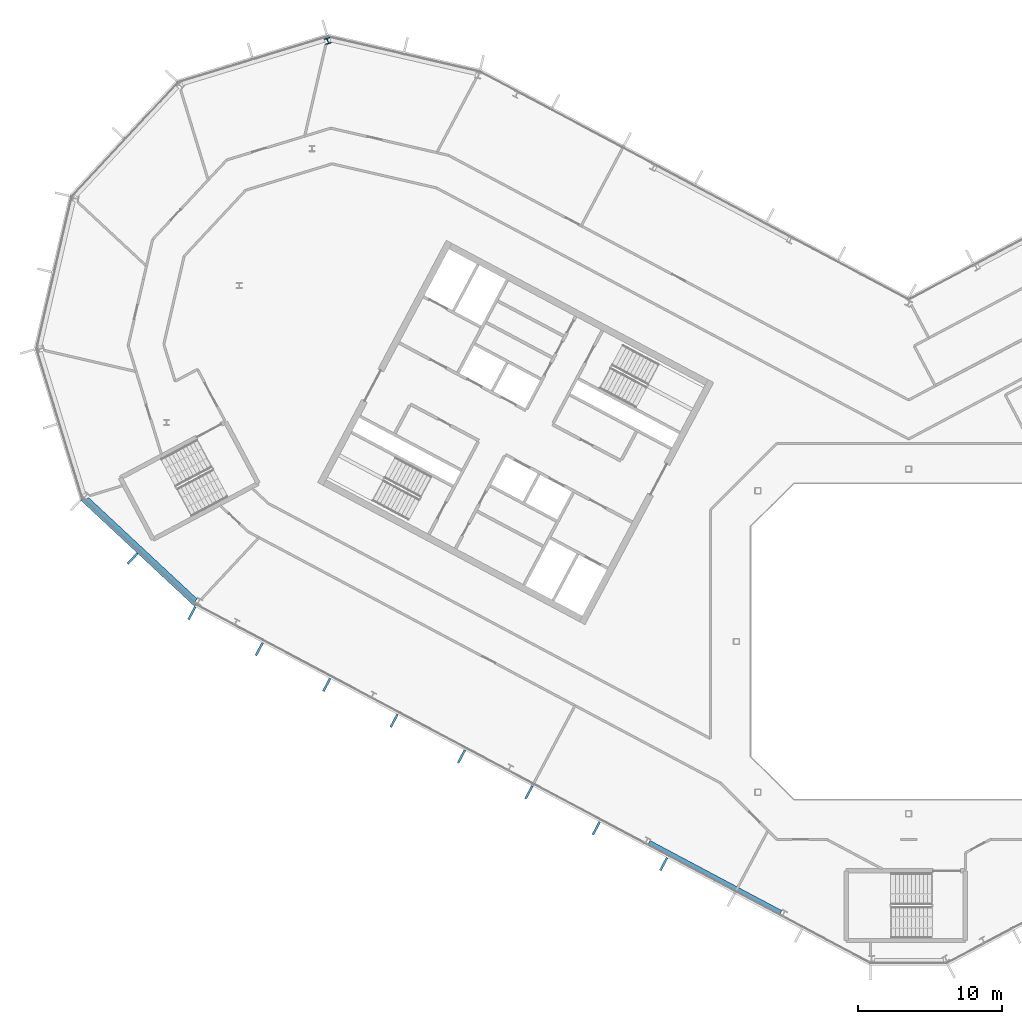
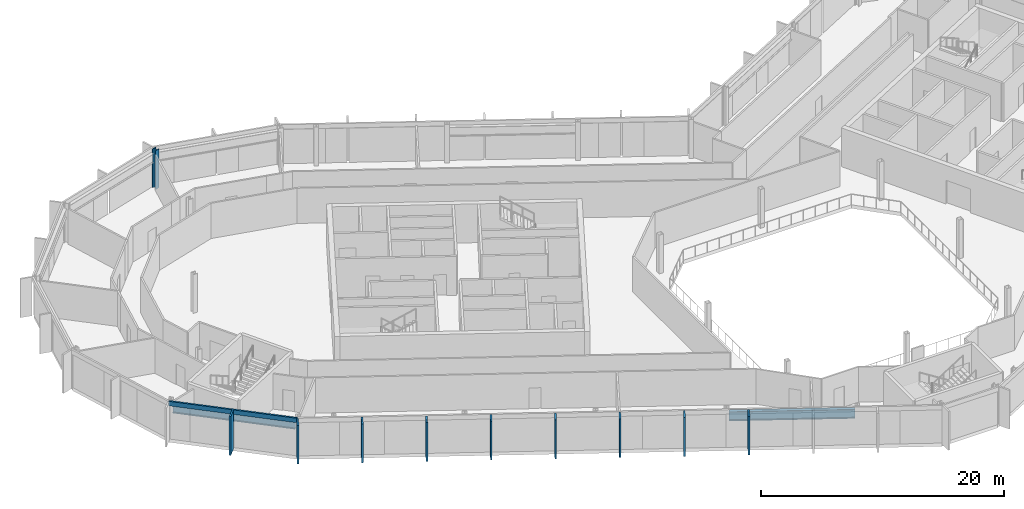
# One storey, part 8 of 26: 10 members, 2 beams, 1 column, 2 elements without a shape of their own.
"""IFC4 building model written with IfcOpenShell, lengths in metres."""

from ifc_helpers import new_model, si_unit, direction, frame, origin, origin_2d, place, context, subcontext, project, spatial, rectangle, i_section, extrude, material, layer, layer_set, material_profile, profile_set, type_object, element, aggregate, save


model = new_model("IFC4")

# Units and contexts
model_context = context("Model", 3, precision=1e-05, world=origin(), true_north=direction((0.0, 1.0)))
body_context = subcontext(model_context, "Body", "Model", "MODEL_VIEW")
ifc_project = project(units=[si_unit("LENGTHUNIT", "METRE"), si_unit("AREAUNIT", "SQUARE_METRE"), si_unit("VOLUMEUNIT", "CUBIC_METRE"), si_unit("PLANEANGLEUNIT", "RADIAN"), si_unit("MASSUNIT", "GRAM", prefix="KILO")], contexts=[model_context])

# Site, building, storey
site_placement = place(None, origin())
site = spatial("IfcSite", under=ifc_project, at=site_placement, CompositionType="ELEMENT")
building_placement = place(site_placement, origin())
building = spatial("IfcBuilding", under=site, at=building_placement, Name="Cormorant Relay Tower", CompositionType="ELEMENT")
storey_placement = place(building_placement, frame((0.0, 0.0, 285.300048828125)))
storey = spatial("IfcBuildingStorey", under=building, at=storey_placement, Name="L64", CompositionType="ELEMENT", Elevation=285.300048828125)

# Column
ifc_material_1 = material(Name="Steel ASTM A992 (Fy 345 MPa)", Category="steel")
ifc_material_profile_1 = material_profile(ifc_material_1, i_section(OverallWidth=0.40380859375, OverallDepth=0.406494140625, WebThickness=0.027099609375, FlangeThickness=0.043701171875, FilletRadius=0.01513671875, at=origin_2d()), Name="W360x347")
ifc_profile_set_1 = profile_set([ifc_material_profile_1], Name="Steel ASTM A992 (Fy 345 MPa)")
column_type = type_object("IfcColumnType", Name="Column W360x347", PredefinedType="COLUMN", material=ifc_profile_set_1)
column_placement = place(storey_placement, frame((-40.455078125, 41.823974609375, 0.0), z_axis=(0.0, 0.0, 1.0), x_axis=(-0.956304755963, -0.292371704723, 0.0)))
element("IfcColumn", 1, at=column_placement, inside=storey, type_object=column_type, Name="Column L64-043", PredefinedType="COLUMN", context=body_context, shape_type="SweptSolid", body=[
    extrude(i_section(OverallWidth=0.40380859375, OverallDepth=0.406494140625, WebThickness=0.027099609375, FlangeThickness=0.043701171875, FilletRadius=0.01513671875, at=origin_2d()), origin(), (0.0, 0.0, 1.0), 3.89990234375),
])

# Curtain wall, member
ifc_material_2 = material(Name="Aluminium 6063-T6 anodised bronze", Category="aluminium")
ifc_layer = layer(ifc_material_2, 0.199951171875)
ifc_layer_set = layer_set([ifc_layer], Name="CW1 unitised bronze curtain wall with vertical fins")
curtain_wall_type = type_object("IfcCurtainWallType", Name="CW1 unitised bronze curtain wall with vertical fins", PredefinedType="NOTDEFINED", material=ifc_layer_set)
curtain_wall_1_placement = place(storey_placement, origin())
curtain_wall_1 = element("IfcCurtainWall", 2, at=curtain_wall_1_placement, inside=storey, type_object=curtain_wall_type, Name="CW1 curtain wall 15", PredefinedType="NOTDEFINED")
ifc_material_3 = material(Name="Aluminium 6063-T6 anodised bronze", Category="aluminium")
ifc_material_profile_2 = material_profile(ifc_material_3, rectangle(XDim=0.14990234375, YDim=1.0, at=origin_2d()), Name="AL 150x1000")
ifc_profile_set_2 = profile_set([ifc_material_profile_2], Name="Aluminium 6063-T6 anodised bronze")
member_type_1 = type_object("IfcMemberType", Name="CW1 bronze fin mullion 150 x 1000", PredefinedType="MULLION", material=ifc_profile_set_2)
member_1_placement = place(storey_placement, frame((-54.0439453125, 5.779296875, 0.0), z_axis=(0.0, 0.0, 1.0), x_axis=(0.731353701619, -0.681998360062, 0.0)))
member_1 = element("IfcMember", 3, at=member_1_placement, type_object=member_type_1, Name="CW1 fin 15.2", PredefinedType="MULLION", context=body_context, shape_type="SweptSolid", body=[
    extrude(rectangle(XDim=0.14990234375, YDim=1.0, at=origin_2d()), origin(), (0.0, 0.0, 1.0), 3.89990234375),
])

# Curtain wall, members
curtain_wall_2_placement = place(storey_placement, origin())
curtain_wall_2 = element("IfcCurtainWall", 4, at=curtain_wall_2_placement, inside=storey, type_object=curtain_wall_type, Name="CW1 curtain wall 16", PredefinedType="NOTDEFINED")
member_2_placement = place(storey_placement, frame((-49.920166015625, 1.96630859375, 0.0), z_axis=(0.0, 0.0, 1.0), x_axis=(0.882947592859, -0.469471562786, 0.0)))
member_2 = element("IfcMember", 5, at=member_2_placement, type_object=member_type_1, Name="CW1 fin 16.1", PredefinedType="MULLION", context=body_context, shape_type="SweptSolid", body=[
    extrude(rectangle(XDim=0.14990234375, YDim=1.0, at=origin_2d()), origin(), (0.0, 0.0, 1.0), 3.89990234375),
])
member_3_placement = place(storey_placement, frame((-45.225830078125, -0.52978515625, 0.0), z_axis=(0.0, 0.0, 1.0), x_axis=(0.882947592859, -0.469471562786, 0.0)))
member_3 = element("IfcMember", 6, at=member_3_placement, type_object=member_type_1, Name="CW1 fin 16.2", PredefinedType="MULLION", context=body_context, shape_type="SweptSolid", body=[
    extrude(rectangle(XDim=0.14990234375, YDim=1.0, at=origin_2d()), origin(), (0.0, 0.0, 1.0), 3.89990234375),
])
member_4_placement = place(storey_placement, frame((-40.531494140625, -3.025634765625, 0.0), z_axis=(0.0, 0.0, 1.0), x_axis=(0.882947592859, -0.469471562786, 0.0)))
member_4 = element("IfcMember", 7, at=member_4_placement, type_object=member_type_1, Name="CW1 fin 16.3", PredefinedType="MULLION", context=body_context, shape_type="SweptSolid", body=[
    extrude(rectangle(XDim=0.14990234375, YDim=1.0, at=origin_2d()), origin(), (0.0, 0.0, 1.0), 3.89990234375),
])
member_5_placement = place(storey_placement, frame((-35.83740234375, -5.521728515625, 0.0), z_axis=(0.0, 0.0, 1.0), x_axis=(0.882947592859, -0.469471562786, 0.0)))
member_5 = element("IfcMember", 8, at=member_5_placement, type_object=member_type_1, Name="CW1 fin 16.4", PredefinedType="MULLION", context=body_context, shape_type="SweptSolid", body=[
    extrude(rectangle(XDim=0.14990234375, YDim=1.0, at=origin_2d()), origin(), (0.0, 0.0, 1.0), 3.89990234375),
])
member_6_placement = place(storey_placement, frame((-31.14306640625, -8.017578125, 0.0), z_axis=(0.0, 0.0, 1.0), x_axis=(0.882947592859, -0.469471562786, 0.0)))
member_6 = element("IfcMember", 9, at=member_6_placement, type_object=member_type_1, Name="CW1 fin 16.5", PredefinedType="MULLION", context=body_context, shape_type="SweptSolid", body=[
    extrude(rectangle(XDim=0.14990234375, YDim=1.0, at=origin_2d()), origin(), (0.0, 0.0, 1.0), 3.89990234375),
])
member_7_placement = place(storey_placement, frame((-26.44873046875, -10.513671875, 0.0), z_axis=(0.0, 0.0, 1.0), x_axis=(0.882947592859, -0.469471562786, 0.0)))
member_7 = element("IfcMember", 10, at=member_7_placement, type_object=member_type_1, Name="CW1 fin 16.6", PredefinedType="MULLION", context=body_context, shape_type="SweptSolid", body=[
    extrude(rectangle(XDim=0.14990234375, YDim=1.0, at=origin_2d()), origin(), (0.0, 0.0, 1.0), 3.89990234375),
])
member_8_placement = place(storey_placement, frame((-21.754638671875, -13.009765625, 0.0), z_axis=(0.0, 0.0, 1.0), x_axis=(0.882947592859, -0.469471562786, 0.0)))
member_8 = element("IfcMember", 11, at=member_8_placement, type_object=member_type_1, Name="CW1 fin 16.7", PredefinedType="MULLION", context=body_context, shape_type="SweptSolid", body=[
    extrude(rectangle(XDim=0.14990234375, YDim=1.0, at=origin_2d()), origin(), (0.0, 0.0, 1.0), 3.89990234375),
])
member_9_placement = place(storey_placement, frame((-17.060302734375, -15.505615234375, 0.0), z_axis=(0.0, 0.0, 1.0), x_axis=(0.882947592859, -0.469471562786, 0.0)))
member_9 = element("IfcMember", 12, at=member_9_placement, type_object=member_type_1, Name="CW1 fin 16.8", PredefinedType="MULLION", context=body_context, shape_type="SweptSolid", body=[
    extrude(rectangle(XDim=0.14990234375, YDim=1.0, at=origin_2d()), origin(), (0.0, 0.0, 1.0), 3.89990234375),
])
aggregate(curtain_wall_2, [member_2, member_3, member_4, member_5, member_6, member_7, member_8, member_9])

# Member
ifc_material_4 = material(Name="Aluminium 6063-T6 anodised bronze", Category="aluminium")
ifc_material_profile_3 = material_profile(ifc_material_4, rectangle(XDim=0.159912109375, YDim=0.449951171875, at=origin_2d()), Name="AL 160x450")
ifc_profile_set_3 = profile_set([ifc_material_profile_3], Name="Aluminium 6063-T6 anodised bronze")
member_type_2 = type_object("IfcMemberType", Name="CW1 bronze transom 160 x 450", PredefinedType="USERDEFINED", material=ifc_profile_set_3)
member_10_placement = place(storey_placement, frame((-57.62353515625, 9.91015625, 3.675048828125), z_axis=(0.731358420696, -0.681993299437, 0.0), x_axis=(0.681993299437, 0.731358420696, 0.0)))
member_10 = element("IfcMember", 13, at=member_10_placement, type_object=member_type_2, Name="CW1 transom 15", ObjectType="TRANSOM", PredefinedType="USERDEFINED", context=body_context, shape_type="SweptSolid", body=[
    extrude(rectangle(XDim=0.159912109375, YDim=0.449951171875, at=origin_2d()), origin(), (0.0, 0.0, 1.0), 10.870361328125),
])

aggregate(curtain_wall_1, [member_1, member_10])

# Beams
ifc_material_5 = material(Name="Steel ASTM A992 (Fy 345 MPa)", Category="steel")
ifc_material_profile_4 = material_profile(ifc_material_5, i_section(OverallWidth=0.307373046875, OverallDepth=0.927001953125, WebThickness=0.019287109375, FlangeThickness=0.031982421875, FilletRadius=0.01904296875, at=origin_2d()), Name="W920x289")
ifc_profile_set_4 = profile_set([ifc_material_profile_4], Name="Steel ASTM A992 (Fy 345 MPa)")
beam_type = type_object("IfcBeamType", Name="Spandrel W920x289", PredefinedType="SPANDREL", material=ifc_profile_set_4)
beam_1_placement = place(storey_placement, frame((-57.234619140625, 9.921630859375, 3.076416015625), z_axis=(0.731364191518, -0.681987110849, 0.0), x_axis=(0.681987110849, 0.731364191518, 0.0)))
element("IfcBeam", 14, at=beam_1_placement, inside=storey, type_object=beam_type, Name="Spandrel beam L64-015", PredefinedType="SPANDREL", context=body_context, shape_type="SweptSolid", body=[
    extrude(i_section(OverallWidth=0.307373046875, OverallDepth=0.927001953125, WebThickness=0.019287109375, FlangeThickness=0.031982421875, FilletRadius=0.01904296875, at=origin_2d()), origin(), (0.0, 0.0, 1.0), 10.37841796875),
])
beam_2_placement = place(storey_placement, frame((-18.0869140625, -13.992919921875, 3.076416015625), z_axis=(0.882946088703, -0.469474391681, 0.0), x_axis=(0.469474391681, 0.882946088703, 0.0)))
element("IfcBeam", 15, at=beam_2_placement, inside=storey, type_object=beam_type, Name="Spandrel beam L64-016", PredefinedType="SPANDREL", context=body_context, shape_type="SweptSolid", body=[
    extrude(i_section(OverallWidth=0.307373046875, OverallDepth=0.927001953125, WebThickness=0.019287109375, FlangeThickness=0.031982421875, FilletRadius=0.01904296875, at=origin_2d()), origin(), (0.0, 0.0, 1.0), 10.401611328125),
])

save(model, "model.ifc")
